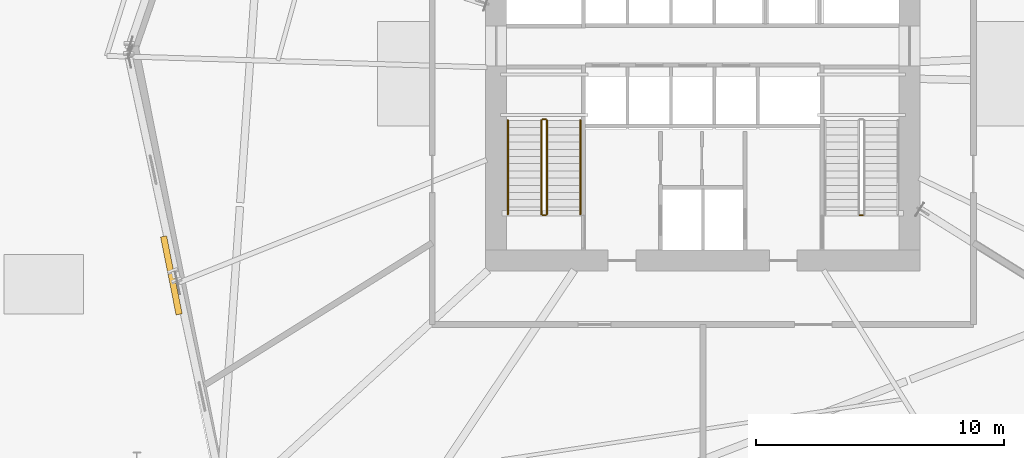
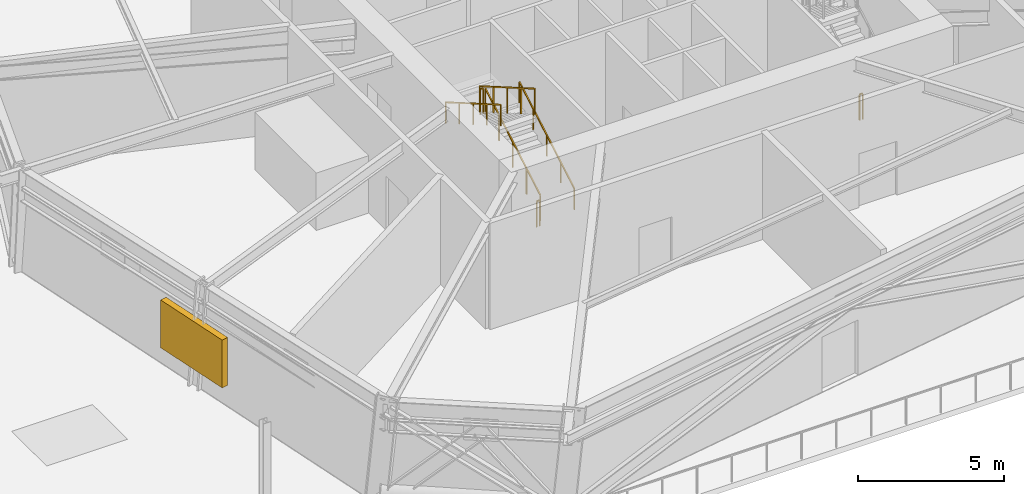
# One storey, part 16 of 20: 7 railings, 1 shading device.
"""IFC4 building model written with IfcOpenShell, lengths in metres."""

from ifc_helpers import new_model, si_unit, direction, frame, origin, origin_2d, place, context, subcontext, project, spatial, rectangle, extrude, source, transform, mapped, material, type_object, element, save


model = new_model("IFC4")

# Units and contexts
model_context = context("Model", 3, precision=1e-05, world=origin(), true_north=direction((0.0, 1.0)))
body_context = subcontext(model_context, "Body", "Model", "MODEL_VIEW")
ifc_project = project(units=[si_unit("LENGTHUNIT", "METRE"), si_unit("AREAUNIT", "SQUARE_METRE"), si_unit("VOLUMEUNIT", "CUBIC_METRE"), si_unit("PLANEANGLEUNIT", "RADIAN"), si_unit("MASSUNIT", "GRAM", prefix="KILO")], contexts=[model_context])

# Site, building, storey
site_placement = place(None, origin())
site = spatial("IfcSite", under=ifc_project, at=site_placement, CompositionType="ELEMENT")
building_placement = place(site_placement, origin())
building = spatial("IfcBuilding", under=site, at=building_placement, Name="Olszyna Solenne Hotel", CompositionType="ELEMENT")
storey_placement = place(building_placement, frame((0.0, 0.0, 24.60009765625)))
storey = spatial("IfcBuildingStorey", under=building, at=storey_placement, Name="L05", CompositionType="ELEMENT", Elevation=24.60009765625)

# Railings
ifc_material_1 = material(Name="Anodised bronze aluminium", Category="aluminium")
railing_type_1 = type_object("IfcRailingType", Name="GR-110", PredefinedType="BALUSTRADE", material=ifc_material_1)
railing_1_placement = place(storey_placement, frame((31.719970703125, 20.949951171875, 0.167724609375)))
element("IfcRailing", 1, at=railing_1_placement, inside=storey, type_object=railing_type_1, Name="L05 ST1 stair guard 1", PredefinedType="BALUSTRADE", context=body_context, shape_type="SweptSolid", body=[
    extrude(rectangle(XDim=0.048095703125, YDim=0.048095703125, at=origin_2d()), frame((0.0, 0.0, 1.076171875), z_axis=(0.0, 0.865477444186, 0.5009478951), x_axis=(-1.0, 0.0, 0.0)), (0.0, 0.0, 1.0), 4.35595703125),
    extrude(rectangle(XDim=0.0419921875, YDim=0.0419921875, at=origin_2d()), origin(), (0.0, 0.0, 1.0), 1.052001953125),
    extrude(rectangle(XDim=0.0419921875, YDim=0.0419921875, at=origin_2d()), frame((0.0, 0.9423828125, 0.54541015625)), (0.0, 0.0, 1.0), 1.052001953125),
    extrude(rectangle(XDim=0.0419921875, YDim=0.0419921875, at=origin_2d()), frame((0.0, 1.885009765625, 1.091064453125)), (0.0, 0.0, 1.0), 1.052001953125),
    extrude(rectangle(XDim=0.0419921875, YDim=0.0419921875, at=origin_2d()), frame((0.0, 2.82763671875, 1.63671875)), (0.0, 0.0, 1.0), 1.052001953125),
    extrude(rectangle(XDim=0.0419921875, YDim=0.0419921875, at=origin_2d()), frame((0.0, 3.77001953125, 2.18212890625)), (0.0, 0.0, 1.0), 1.052001953125),
])
railing_2_placement = place(storey_placement, frame((31.669921875, 24.77001953125, 2.349853515625)))
element("IfcRailing", 2, at=railing_2_placement, inside=storey, type_object=railing_type_1, Name="L05 ST1 stair guard 2", PredefinedType="BALUSTRADE", context=body_context, shape_type="SweptSolid", body=[
    extrude(rectangle(XDim=0.048095703125, YDim=0.048095703125, at=origin_2d()), frame((0.0, 0.0, 1.076171875), z_axis=(-1.0, 0.0, 0.0), x_axis=(0.0, -1.0, 0.0)), (0.0, 0.0, 1.0), 0.119873046875),
    extrude(rectangle(XDim=0.0419921875, YDim=0.0419921875, at=origin_2d()), origin(), (0.0, 0.0, 1.0), 1.052001953125),
    extrude(rectangle(XDim=0.0419921875, YDim=0.0419921875, at=origin_2d()), frame((-0.119873046875, 0.0, 0.0)), (0.0, 0.0, 1.0), 1.052001953125),
])
railing_3_placement = place(storey_placement, frame((31.5, 24.719970703125, 2.517822265625)))
element("IfcRailing", 3, at=railing_3_placement, inside=storey, type_object=railing_type_1, Name="L05 ST1 stair guard 3", PredefinedType="BALUSTRADE", context=body_context, shape_type="SweptSolid", body=[
    extrude(rectangle(XDim=0.048095703125, YDim=0.048095703125, at=origin_2d()), frame((0.0, 0.0, 1.076171875), z_axis=(0.0, -0.865477444186, 0.5009478951), x_axis=(1.0, 0.0, 0.0)), (0.0, 0.0, 1.0), 4.35595703125),
    extrude(rectangle(XDim=0.0419921875, YDim=0.0419921875, at=origin_2d()), origin(), (0.0, 0.0, 1.0), 1.052001953125),
    extrude(rectangle(XDim=0.0419921875, YDim=0.0419921875, at=origin_2d()), frame((0.0, -0.9423828125, 0.54541015625)), (0.0, 0.0, 1.0), 1.052001953125),
    extrude(rectangle(XDim=0.0419921875, YDim=0.0419921875, at=origin_2d()), frame((0.0, -1.885009765625, 1.091064453125)), (0.0, 0.0, 1.0), 1.052001953125),
    extrude(rectangle(XDim=0.0419921875, YDim=0.0419921875, at=origin_2d()), frame((0.0, -2.82763671875, 1.63671875)), (0.0, 0.0, 1.0), 1.052001953125),
    extrude(rectangle(XDim=0.0419921875, YDim=0.0419921875, at=origin_2d()), frame((0.0, -3.77001953125, 2.18212890625)), (0.0, 0.0, 1.0), 1.052001953125),
])
for number, where, name in (
    (4, (31.669921875, 20.89990234375, 0.0), "L05 ST1 stair guard 4"),
    (5, (44.449951171875, 20.89990234375, 0.0), "L05 ST2 stair guard 4"),
):
    element("IfcRailing", number, at=place(storey_placement, frame(where)), inside=storey, type_object=railing_type_1, Name=name, PredefinedType="BALUSTRADE", context=body_context, shape_type="SweptSolid", body=[
        extrude(rectangle(XDim=0.048095703125, YDim=0.048095703125, at=origin_2d()), frame((0.0, 0.0, 1.076171875), z_axis=(-1.0, 0.0, 0.0), x_axis=(0.0, -1.0, 0.0)), (0.0, 0.0, 1.0), 0.119873046875),
        extrude(rectangle(XDim=0.0419921875, YDim=0.0419921875, at=origin_2d()), origin(), (0.0, 0.0, 1.0), 1.052001953125),
        extrude(rectangle(XDim=0.0419921875, YDim=0.0419921875, at=origin_2d()), frame((-0.119873046875, 0.0, 0.0)), (0.0, 0.0, 1.0), 1.052001953125),
    ])
ifc_material_2 = material(Name="Steel S355J2", Category="steel")
railing_type_2 = type_object("IfcRailingType", Name="HR-090", PredefinedType="HANDRAIL", material=ifc_material_2)
railing_4_placement = place(storey_placement, frame((33.070068359375, 20.949951171875, 0.167724609375)))
element("IfcRailing", 6, at=railing_4_placement, inside=storey, type_object=railing_type_2, Name="L05 ST1 stair handrail 1", PredefinedType="HANDRAIL", context=body_context, shape_type="SweptSolid", body=[
    extrude(rectangle(XDim=0.048095703125, YDim=0.048095703125, at=origin_2d()), frame((0.0, 0.0, 0.8759765625), z_axis=(0.0, 0.865477444186, 0.5009478951), x_axis=(-1.0, 0.0, 0.0)), (0.0, 0.0, 1.0), 4.35595703125),
    extrude(rectangle(XDim=0.0419921875, YDim=0.0419921875, at=origin_2d()), origin(), (0.0, 0.0, 1.0), 0.851806640625),
    extrude(rectangle(XDim=0.0419921875, YDim=0.0419921875, at=origin_2d()), frame((0.0, 0.9423828125, 0.54541015625)), (0.0, 0.0, 1.0), 0.851806640625),
    extrude(rectangle(XDim=0.0419921875, YDim=0.0419921875, at=origin_2d()), frame((0.0, 1.885009765625, 1.091064453125)), (0.0, 0.0, 1.0), 0.851806640625),
    extrude(rectangle(XDim=0.0419921875, YDim=0.0419921875, at=origin_2d()), frame((0.0, 2.82763671875, 1.63671875)), (0.0, 0.0, 1.0), 0.851806640625),
    extrude(rectangle(XDim=0.0419921875, YDim=0.0419921875, at=origin_2d()), frame((0.0, 3.77001953125, 2.18212890625)), (0.0, 0.0, 1.0), 0.851806640625),
])
railing_5_placement = place(storey_placement, frame((30.14990234375, 24.719970703125, 2.517822265625)))
element("IfcRailing", 7, at=railing_5_placement, inside=storey, type_object=railing_type_2, Name="L05 ST1 stair handrail 2", PredefinedType="HANDRAIL", context=body_context, shape_type="SweptSolid", body=[
    extrude(rectangle(XDim=0.048095703125, YDim=0.048095703125, at=origin_2d()), frame((0.0, 0.0, 0.8759765625), z_axis=(0.0, -0.865477444186, 0.5009478951), x_axis=(1.0, 0.0, 0.0)), (0.0, 0.0, 1.0), 4.35595703125),
    extrude(rectangle(XDim=0.0419921875, YDim=0.0419921875, at=origin_2d()), origin(), (0.0, 0.0, 1.0), 0.851806640625),
    extrude(rectangle(XDim=0.0419921875, YDim=0.0419921875, at=origin_2d()), frame((0.0, -0.9423828125, 0.54541015625)), (0.0, 0.0, 1.0), 0.851806640625),
    extrude(rectangle(XDim=0.0419921875, YDim=0.0419921875, at=origin_2d()), frame((0.0, -1.885009765625, 1.091064453125)), (0.0, 0.0, 1.0), 0.851806640625),
    extrude(rectangle(XDim=0.0419921875, YDim=0.0419921875, at=origin_2d()), frame((0.0, -2.82763671875, 1.63671875)), (0.0, 0.0, 1.0), 0.851806640625),
    extrude(rectangle(XDim=0.0419921875, YDim=0.0419921875, at=origin_2d()), frame((0.0, -3.77001953125, 2.18212890625)), (0.0, 0.0, 1.0), 0.851806640625),
])

# Shading device
ifc_material_3 = material(Name="Terracotta cladding", Category="masonry")
shading_device_type = type_object("IfcShadingDeviceType", Name="SH-LV1", PredefinedType="JALOUSIE", material=ifc_material_3)
shared_shape = source(origin(), body_context, "Body", "SweptSolid", [
    extrude(rectangle(XDim=3.199951171875, YDim=0.25, at=origin_2d()), origin(), (0.0, 0.0, 1.0), 2.0),
])
shading_device_placement = place(storey_placement, frame((16.59033203125, 18.478515625, 0.870849609375), z_axis=(0.0, 0.0, 1.0), x_axis=(-0.195261498368, 0.980751215781, 0.0)))
element("IfcShadingDevice", 8, at=shading_device_placement, inside=storey, type_object=shading_device_type, Name="Terracotta acoustic plant louvre bank LV-L05-03", PredefinedType="JALOUSIE", context=body_context, shape_type="MappedRepresentation", body=[
    mapped(shared_shape, transform((0.0, 0.0, 0.0), x_axis=(1.0, 0.0, 0.0), y_axis=(0.0, 1.0, 0.0), z_axis=(0.0, 0.0, 1.0), scale=1.0)),
])

save(model, "model.ifc")
